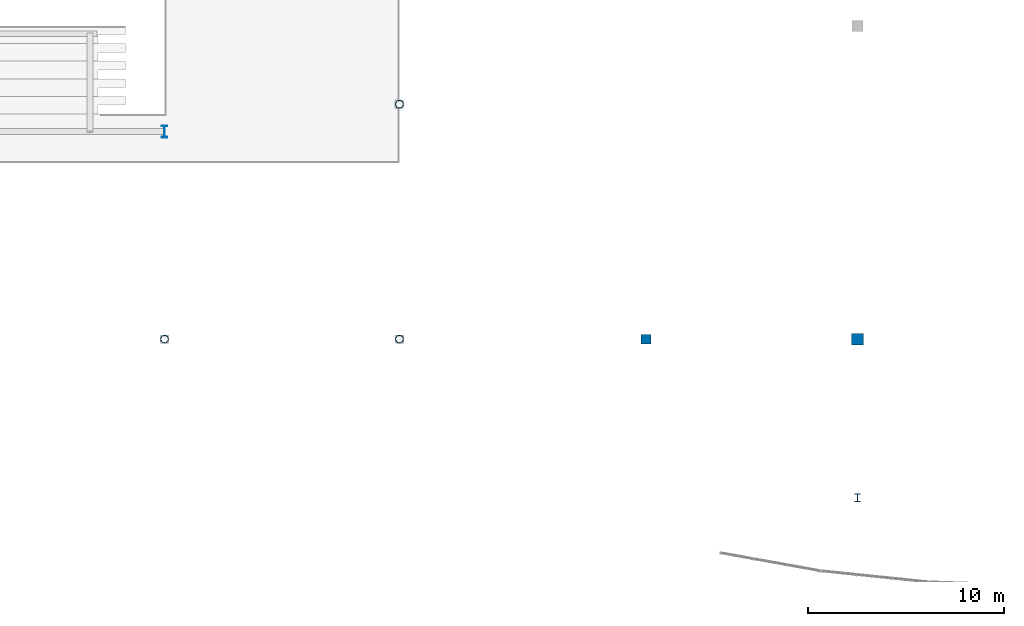
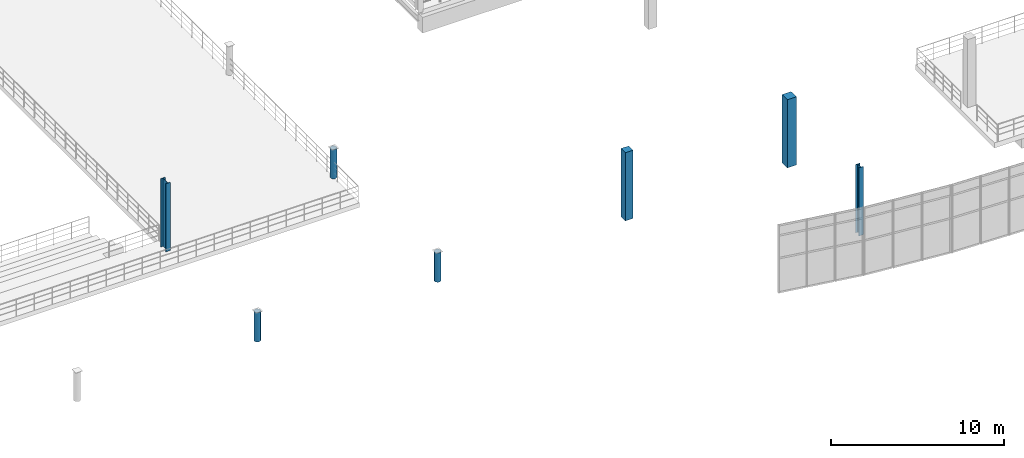
# One storey, part 5 of 52: 7 columns.
"""IFC4 building model written with IfcOpenShell, lengths in metres."""

from ifc_helpers import new_model, si_unit, direction, frame, origin, origin_2d, place, context, subcontext, project, spatial, rectangle, hollow_circle, i_section, extrude, material, material_profile, profile_set, type_object, element, save


model = new_model("IFC4")

# Units and contexts
model_context = context("Model", 3, precision=1e-05, world=origin(), true_north=direction((0.0, 1.0)))
body_context = subcontext(model_context, "Body", "Model", "MODEL_VIEW")
ifc_project = project(units=[si_unit("LENGTHUNIT", "METRE"), si_unit("AREAUNIT", "SQUARE_METRE"), si_unit("VOLUMEUNIT", "CUBIC_METRE"), si_unit("PLANEANGLEUNIT", "RADIAN"), si_unit("MASSUNIT", "GRAM", prefix="KILO"), si_unit("THERMODYNAMICTEMPERATUREUNIT", "KELVIN"), si_unit("POWERUNIT", "WATT")], contexts=[model_context])

# Site, building, storey
site_placement = place(None, origin())
site = spatial("IfcSite", under=ifc_project, at=site_placement, CompositionType="ELEMENT")
building_placement = place(site_placement, origin())
building = spatial("IfcBuilding", under=site, at=building_placement, Name="Solmara Park Aquatics Centre", CompositionType="ELEMENT")
storey_placement = place(building_placement, frame((0.0, 0.0, 9.60009765625)))
storey = spatial("IfcBuildingStorey", under=building, at=storey_placement, Name="L02", CompositionType="ELEMENT", Elevation=9.60009765625)

# Columns
ifc_material_1 = material(Name="Structural Steel S355", Category="steel")
ifc_material_profile_1 = material_profile(ifc_material_1, hollow_circle(Radius=0.203125, WallThickness=0.01611328125, at=origin_2d()), Name="CHS 406.4x16")
ifc_profile_set_1 = profile_set([ifc_material_profile_1], Name="Structural Steel S355")
column_type_1 = type_object("IfcColumnType", Name="STR-COL-CHS406", PredefinedType="COLUMN", material=ifc_profile_set_1)
for number, where, z_axis, x_axis, name in (
    (1, (84.60009765625, 12.60009765625, 0.0), (0.0, 0.0, 1.0), (1.0, 0.0, 0.0), "Column L02-0507"),
    (2, (96.60009765625, 12.60009765625, 0.0), (0.0, 0.0, 1.0), (1.0, 0.0, 0.0), "Column L02-0515"),
    (3, (96.60009765625, 24.60009765625, 0.0), (0.0, 0.0, 1.0), (1.0, 0.0, 0.0), "Column L02-0516"),
):
    element("IfcColumn", number, at=place(storey_placement, frame(where, z_axis=z_axis, x_axis=x_axis)), inside=storey, type_object=column_type_1, Name=name, PredefinedType="COLUMN", context=body_context, shape_type="SweptSolid", body=[
        extrude(hollow_circle(Radius=0.203125, WallThickness=0.01611328125, at=origin_2d()), origin(), (0.0, 0.0, 1.0), 2.059814453125),
    ])
ifc_material_profile_2 = material_profile(ifc_material_1, i_section(OverallWidth=0.300048828125, OverallDepth=0.39990234375, WebThickness=0.013427734375, FlangeThickness=0.02392578125, FilletRadius=0.027099609375, at=origin_2d()), Name="HEB 400")
ifc_profile_set_2 = profile_set([ifc_material_profile_2], Name="Structural Steel S355")
column_type_2 = type_object("IfcColumnType", Name="STR-COL-HEB400", PredefinedType="COLUMN", material=ifc_profile_set_2)
column_1_placement = place(storey_placement, frame((120.0, 4.5, 0.0), z_axis=(0.0, 0.0, 1.0), x_axis=(1.0, 0.0, 0.0)))
element("IfcColumn", 4, at=column_1_placement, inside=storey, type_object=column_type_2, Name="Column L02-0536", PredefinedType="COLUMN", context=body_context, shape_type="SweptSolid", body=[
    extrude(i_section(OverallWidth=0.300048828125, OverallDepth=0.39990234375, WebThickness=0.013427734375, FlangeThickness=0.02392578125, FilletRadius=0.027099609375, at=origin_2d()), origin(), (0.0, 0.0, 1.0), 4.7998046875),
])
ifc_material_profile_3 = material_profile(ifc_material_1, i_section(OverallWidth=0.300048828125, OverallDepth=0.60009765625, WebThickness=0.015380859375, FlangeThickness=0.030029296875, FilletRadius=0.027099609375, at=origin_2d()), Name="HEB 600")
ifc_profile_set_3 = profile_set([ifc_material_profile_3], Name="Structural Steel S355")
column_type_3 = type_object("IfcColumnType", Name="STR-COL-HEB600", PredefinedType="COLUMN", material=ifc_profile_set_3)
column_2_placement = place(storey_placement, frame((84.60009765625, 23.199951171875, 0.0), z_axis=(0.0, 0.0, 1.0), x_axis=(1.0, 0.0, 0.0)))
element("IfcColumn", 5, at=column_2_placement, inside=storey, type_object=column_type_3, Name="Column L02-0508", PredefinedType="COLUMN", context=body_context, shape_type="SweptSolid", body=[
    extrude(i_section(OverallWidth=0.300048828125, OverallDepth=0.60009765625, WebThickness=0.015380859375, FlangeThickness=0.030029296875, FilletRadius=0.027099609375, at=origin_2d()), origin(), (0.0, 0.0, 1.0), 4.7998046875),
])
ifc_material_2 = material(Name="Concrete C40/50", Category="concrete")
ifc_material_profile_4 = material_profile(ifc_material_2, rectangle(XDim=0.5, YDim=0.5, at=origin_2d()), Name="RC 500x500")
ifc_profile_set_4 = profile_set([ifc_material_profile_4], Name="Concrete C40/50")
column_type_4 = type_object("IfcColumnType", Name="STR-COL-RC500", PredefinedType="COLUMN", material=ifc_profile_set_4)
column_3_placement = place(storey_placement, frame((109.199951171875, 12.60009765625, 0.0), z_axis=(0.0, 0.0, 1.0), x_axis=(1.0, 0.0, 0.0)))
element("IfcColumn", 6, at=column_3_placement, inside=storey, type_object=column_type_4, Name="Column L02-0527", PredefinedType="COLUMN", context=body_context, shape_type="SweptSolid", body=[
    extrude(rectangle(XDim=0.5, YDim=0.5, at=origin_2d()), origin(), (0.0, 0.0, 1.0), 4.7998046875),
])
ifc_material_profile_5 = material_profile(ifc_material_2, rectangle(XDim=0.60009765625, YDim=0.60009765625, at=origin_2d()), Name="RC 600x600")
ifc_profile_set_5 = profile_set([ifc_material_profile_5], Name="Concrete C40/50")
column_type_5 = type_object("IfcColumnType", Name="STR-COL-RC600", PredefinedType="COLUMN", material=ifc_profile_set_5)
column_4_placement = place(storey_placement, frame((120.0, 12.60009765625, 0.0), z_axis=(0.0, 0.0, 1.0), x_axis=(1.0, 0.0, 0.0)))
element("IfcColumn", 7, at=column_4_placement, inside=storey, type_object=column_type_5, Name="Column L02-0537", PredefinedType="COLUMN", context=body_context, shape_type="SweptSolid", body=[
    extrude(rectangle(XDim=0.60009765625, YDim=0.60009765625, at=origin_2d()), origin(), (0.0, 0.0, 1.0), 4.7998046875),
])

save(model, "model.ifc")
